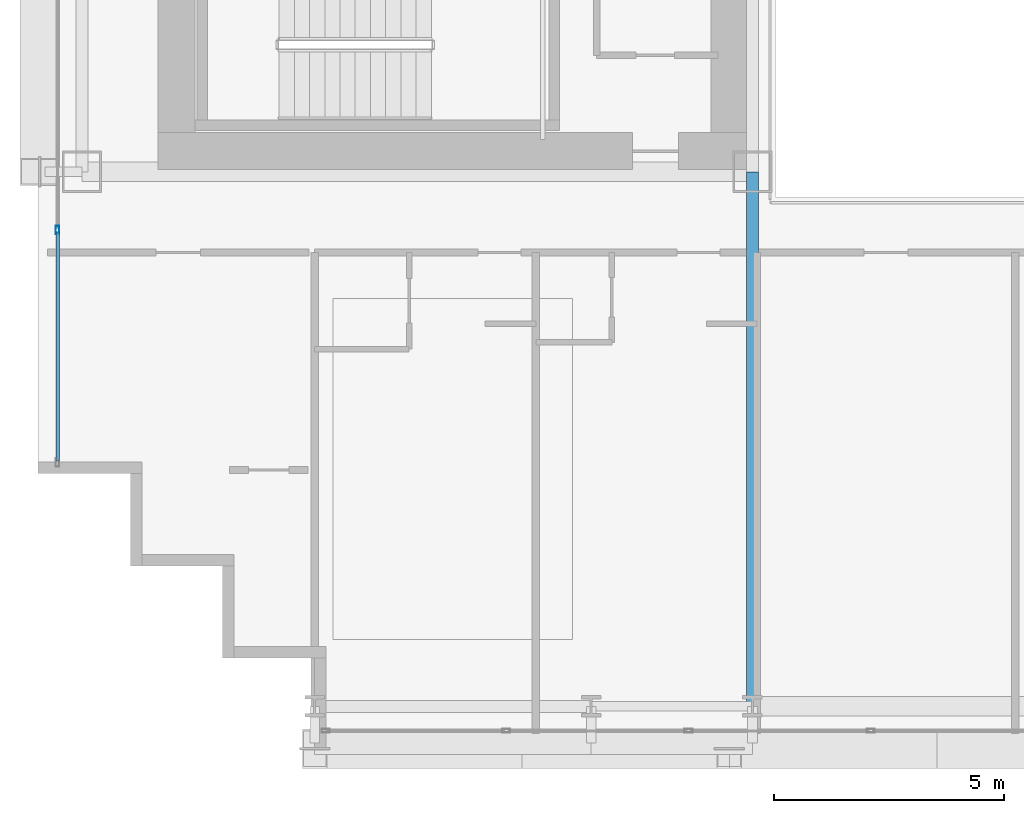
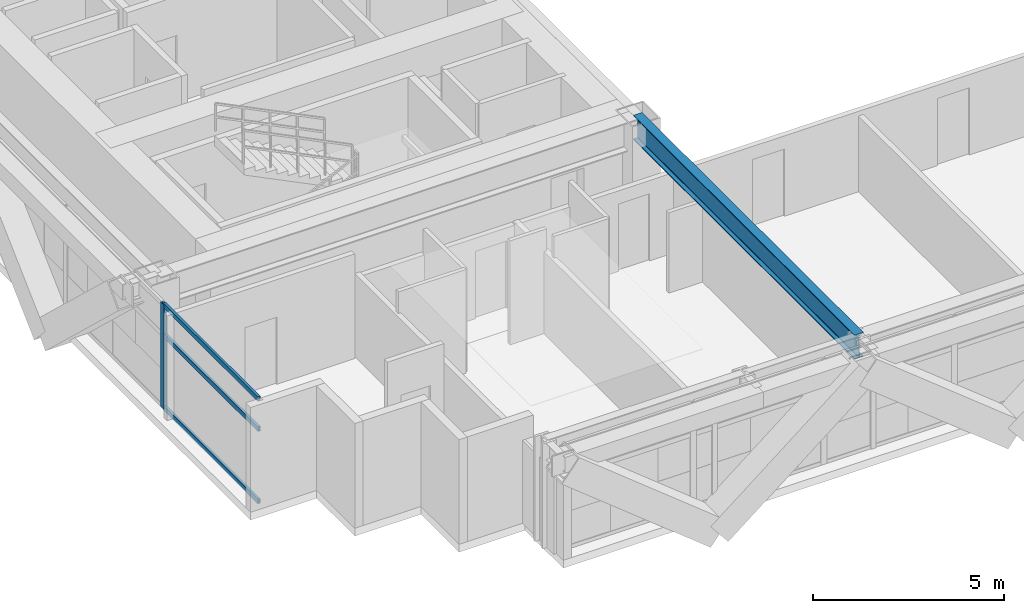
# One storey, part 3 of 38: 4 members, 1 beam, 1 element without a shape of its own.
"""IFC4 building model written with IfcOpenShell, lengths in metres."""

from ifc_helpers import new_model, si_unit, direction, frame, origin, origin_2d, place, context, subcontext, project, spatial, hollow_rectangle, i_section, extrude, source, transform, mapped, material, layer, layer_set, material_profile, profile_set, type_object, element, aggregate, save


model = new_model("IFC4")

# Units and contexts
model_context = context("Model", 3, precision=1e-05, world=origin(), true_north=direction((0.0, 1.0)))
body_context = subcontext(model_context, "Body", "Model", "MODEL_VIEW")
ifc_project = project(units=[si_unit("LENGTHUNIT", "METRE"), si_unit("AREAUNIT", "SQUARE_METRE"), si_unit("VOLUMEUNIT", "CUBIC_METRE"), si_unit("PLANEANGLEUNIT", "RADIAN"), si_unit("MASSUNIT", "GRAM", prefix="KILO")], contexts=[model_context])

# Site, building, storey
site_placement = place(None, origin())
site = spatial("IfcSite", under=ifc_project, at=site_placement, CompositionType="ELEMENT")
building_placement = place(site_placement, origin())
building = spatial("IfcBuilding", under=site, at=building_placement, Name="Ocotamira Hotel", CompositionType="ELEMENT")
storey_placement = place(building_placement, frame((0.0, 0.0, 74.39990234375)))
storey = spatial("IfcBuildingStorey", under=building, at=storey_placement, Name="L18", CompositionType="ELEMENT", Elevation=74.39990234375)

# Beam
ifc_material_1 = material(Name="Steel ASTM A992 Grade 50", Category="steel")
ifc_material_profile_1 = material_profile(ifc_material_1, i_section(OverallWidth=0.26611328125, OverallDepth=0.779052734375, WebThickness=0.0166015625, FlangeThickness=0.030029296875, FilletRadius=0.01806640625, at=origin_2d()), Name="W30X148")
ifc_profile_set_1 = profile_set([ifc_material_profile_1], Name="Steel ASTM A992 Grade 50")
beam_type = type_object("IfcBeamType", Name="BM-GIRD-W30X148", PredefinedType="BEAM", material=ifc_profile_set_1)
shared_shape_1 = source(origin(), body_context, "Body", "SweptSolid", [
    extrude(i_section(OverallWidth=0.26611328125, OverallDepth=0.779052734375, WebThickness=0.0166015625, FlangeThickness=0.030029296875, FilletRadius=0.01806640625, at=origin_2d()), origin(), (0.0, 0.0, 1.0), 11.60009765625),
])
beam_placement = place(storey_placement, frame((23.5, 2.949951171875, 2.960693359375), z_axis=(0.0, 1.0, 0.0), x_axis=(-1.0, 0.0, 0.0)))
element("IfcBeam", 1, at=beam_placement, inside=storey, type_object=beam_type, Name="L18 Beam X23.5 Y2.95-14.55", PredefinedType="BEAM", context=body_context, shape_type="MappedRepresentation", body=[
    mapped(shared_shape_1, transform((0.0, 0.0, 0.0), scale=1.0)),
])

# Curtain wall, members
ifc_material_2 = material(Name="Anodised pale-metal aluminium and solar glass", Category="aluminium")
ifc_layer = layer(ifc_material_2, 0.179931640625)
ifc_layer_set = layer_set([ifc_layer], Name="Anodised pale-metal aluminium and solar glass")
curtain_wall_type = type_object("IfcCurtainWallType", Name="CW-SYS2-Z1", PredefinedType="NOTDEFINED", material=ifc_layer_set)
curtain_wall_placement = place(storey_placement, origin())
curtain_wall = element("IfcCurtainWall", 2, at=curtain_wall_placement, inside=storey, type_object=curtain_wall_type, Name="L18 Curtain Wall CW-2 CW-L18-W", PredefinedType="NOTDEFINED")
ifc_material_3 = material(Name="Anodised pale-metal aluminium 6063-T6", Category="aluminium")
ifc_material_profile_2 = material_profile(ifc_material_3, hollow_rectangle(XDim=0.074951171875, YDim=0.14990234375, WallThickness=0.006103515625, at=origin_2d()), Name="HSS150X75X6")
ifc_profile_set_2 = profile_set([ifc_material_profile_2], Name="Anodised pale-metal aluminium 6063-T6")
member_type_1 = type_object("IfcMemberType", Name="CWT-150X75", PredefinedType="USERDEFINED", material=ifc_profile_set_2)
shared_shape_2 = source(origin(), body_context, "Body", "SweptSolid", [
    extrude(hollow_rectangle(XDim=0.074951171875, YDim=0.14990234375, WallThickness=0.006103515625, at=origin_2d()), origin(), (0.0, 0.0, 1.0), 4.965576171875),
])
member_1_placement = place(storey_placement, frame((8.419921875, 8.280029296875, 0.03759765625), z_axis=(0.0, 1.0, 0.0), x_axis=(-1.0, 0.0, 0.0)))
member_1 = element("IfcMember", 3, at=member_1_placement, type_object=member_type_1, Name="CW-2 transom 1.1", ObjectType="TRANSOM", PredefinedType="USERDEFINED", context=body_context, shape_type="MappedRepresentation", body=[
    mapped(shared_shape_2, transform((0.0, 0.0, 0.0), scale=1.0)),
])
member_2_placement = place(storey_placement, frame((8.419921875, 8.280029296875, 2.35009765625), z_axis=(0.0, 1.0, 0.0), x_axis=(-1.0, 0.0, 0.0)))
member_2 = element("IfcMember", 4, at=member_2_placement, type_object=member_type_1, Name="CW-2 transom 1.2", ObjectType="TRANSOM", PredefinedType="USERDEFINED", context=body_context, shape_type="MappedRepresentation", body=[
    mapped(shared_shape_2, transform((0.0, 0.0, 0.0), scale=1.0)),
])
member_3_placement = place(storey_placement, frame((8.419921875, 8.280029296875, 3.3125), z_axis=(0.0, 1.0, 0.0), x_axis=(-1.0, 0.0, 0.0)))
member_3 = element("IfcMember", 5, at=member_3_placement, type_object=member_type_1, Name="CW-2 transom 1.3", ObjectType="TRANSOM", PredefinedType="USERDEFINED", context=body_context, shape_type="MappedRepresentation", body=[
    mapped(shared_shape_2, transform((0.0, 0.0, 0.0), scale=1.0)),
])
ifc_material_profile_3 = material_profile(ifc_material_3, hollow_rectangle(XDim=0.080078125, YDim=0.179931640625, WallThickness=0.006103515625, at=origin_2d()), Name="HSS180X80X6")
ifc_profile_set_3 = profile_set([ifc_material_profile_3], Name="Anodised pale-metal aluminium 6063-T6")
member_type_2 = type_object("IfcMemberType", Name="CWM-180X75", PredefinedType="MULLION", material=ifc_profile_set_3)
shared_shape_3 = source(origin(), body_context, "Body", "SweptSolid", [
    extrude(hollow_rectangle(XDim=0.080078125, YDim=0.179931640625, WallThickness=0.006103515625, at=origin_2d()), origin(), (0.0, 0.0, 1.0), 3.35009765625),
])
member_4_placement = place(storey_placement, frame((8.419921875, 13.28564453125, 0.0), z_axis=(0.0, 0.0, 1.0), x_axis=(-1.0, 0.0, 0.0)))
member_4 = element("IfcMember", 6, at=member_4_placement, type_object=member_type_2, Name="CW-2 mullion 2", PredefinedType="MULLION", context=body_context, shape_type="MappedRepresentation", body=[
    mapped(shared_shape_3, transform((0.0, 0.0, 0.0), scale=1.0)),
])
aggregate(curtain_wall, [member_4, member_1, member_2, member_3])

save(model, "model.ifc")
